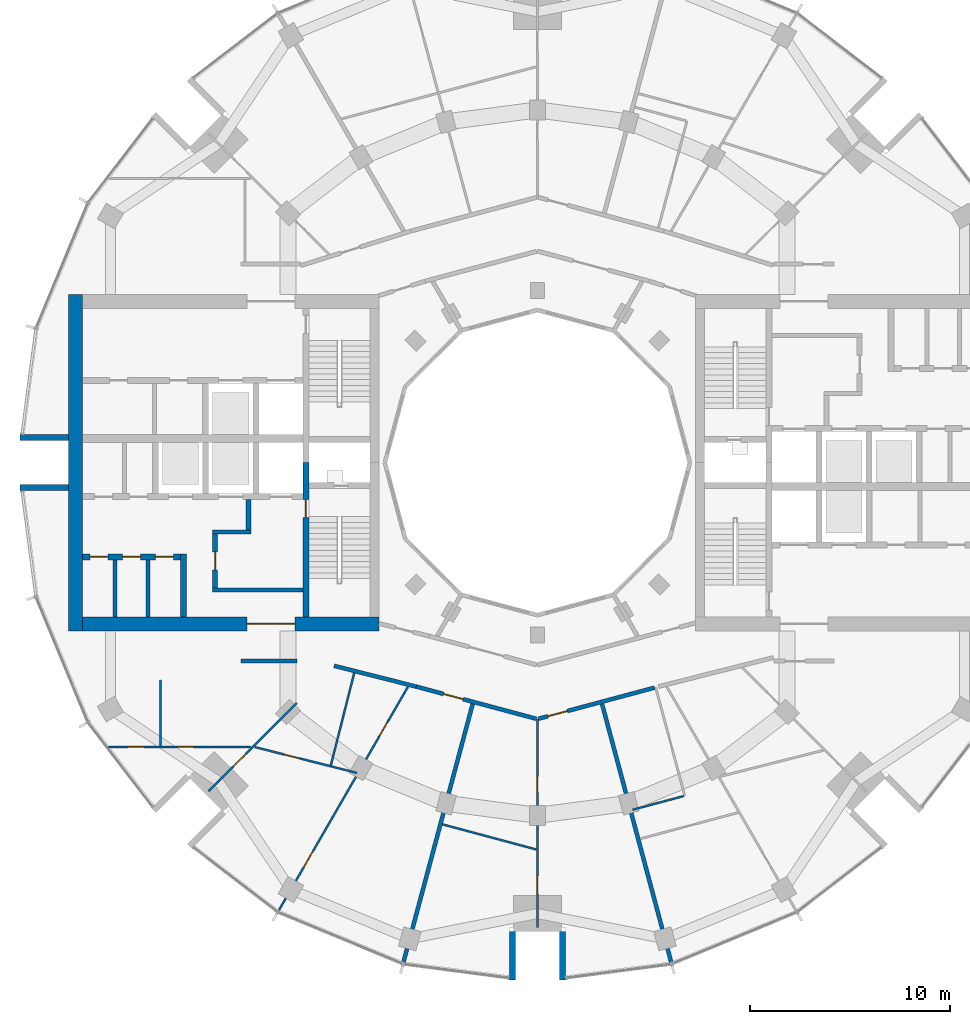
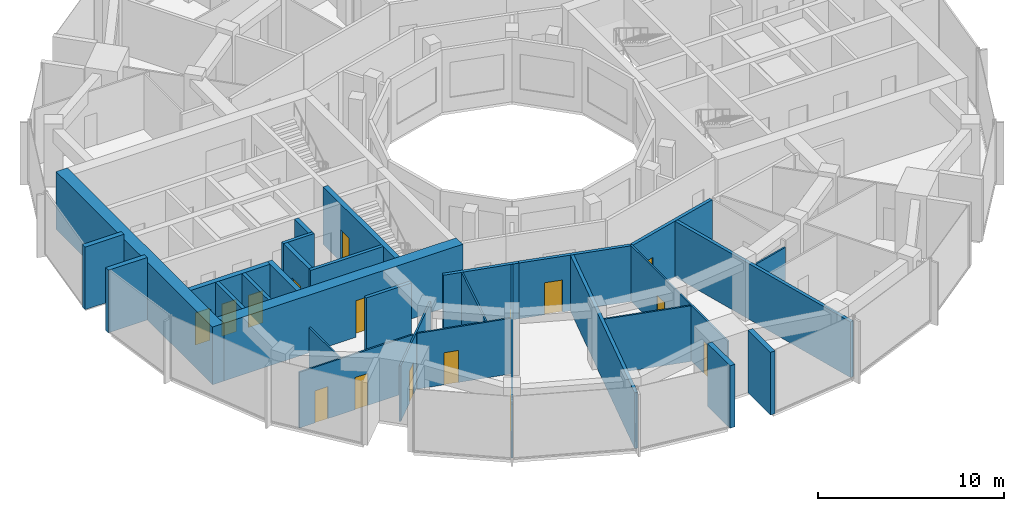
# One storey, part 8 of 15: 30 walls, 16 doors, 16 openings.
"""IFC4 building model written with IfcOpenShell, lengths in metres."""

from ifc_helpers import new_model, si_unit, direction, frame, frame_2d, origin, place, context, subcontext, project, spatial, rectangle, extrude, material, layer, layer_set, type_object, element, fill, save


model = new_model("IFC4")

# Units and contexts
model_context = context("Model", 3, precision=1e-05, world=origin(), true_north=direction((0.0, 1.0)))
body_context = subcontext(model_context, "Body", "Model", "MODEL_VIEW")
ifc_project = project(units=[si_unit("LENGTHUNIT", "METRE"), si_unit("AREAUNIT", "SQUARE_METRE"), si_unit("VOLUMEUNIT", "CUBIC_METRE"), si_unit("PLANEANGLEUNIT", "RADIAN"), si_unit("MASSUNIT", "GRAM", prefix="KILO")], contexts=[model_context])

# Site, building, storey
site_placement = place(None, origin())
site = spatial("IfcSite", under=ifc_project, at=site_placement, CompositionType="ELEMENT")
building_placement = place(site_placement, origin())
building = spatial("IfcBuilding", under=site, at=building_placement, Name="Torre Brocal", CompositionType="ELEMENT")
storey_placement = place(building_placement, frame((0.0, 0.0, 170.0)))
storey = spatial("IfcBuildingStorey", under=building, at=storey_placement, Name="L39", CompositionType="ELEMENT", Elevation=170.0)

# Walls
ifc_material_1 = material(Name="Masonry block", Category="masonry")
ifc_layer_1 = layer(ifc_material_1, 0.199951171875)
ifc_layer_set_1 = layer_set([ifc_layer_1], Name="Masonry block")
wall_type_1 = type_object("IfcWallType", Name="CORE PARTITION 200", PredefinedType="PARTITIONING", material=ifc_layer_set_1)
for number, where, z_axis, x_axis, name in (
    (1, (60.566650390625, 70.14990234375, 0.0), (0.0, 0.0, 1.0), (0.0, -1.0, 0.0), "Wall CP200"),
    (2, (58.933349609375, 70.14990234375, 0.0), (0.0, 0.0, 1.0), (0.0, -1.0, 0.0), "Wall CP200"),
):
    element("IfcWall", number, at=place(storey_placement, frame(where, z_axis=z_axis, x_axis=x_axis)), inside=storey, type_object=wall_type_1, Name=name, PredefinedType="PARTITIONING", context=body_context, shape_type="SweptSolid", body=[
        extrude(rectangle(XDim=2.849853515625, YDim=0.199951171875, at=frame_2d((1.4248046875, 0.0))), origin(), (0.0, 0.0, 1.0), 3.780029296875),
    ])
ifc_material_2 = material(Name="Concrete C70", Category="concrete")
ifc_layer_2 = layer(ifc_material_2, 0.199951171875)
ifc_layer_set_2 = layer_set([ifc_layer_2], Name="Concrete C70")
wall_type_2 = type_object("IfcWallType", Name="CORE WALL 200 C70", PredefinedType="SHEAR", material=ifc_layer_set_2)
wall_1_placement = place(storey_placement, frame((68.300048828125, 68.64990234375, 0.0), z_axis=(0.0, 0.0, 1.0), x_axis=(-1.0, 0.0, 0.0)))
element("IfcWall", 3, at=wall_1_placement, inside=storey, type_object=wall_type_2, Name="Wall CW200-70", PredefinedType="SHEAR", context=body_context, shape_type="SweptSolid", body=[
    extrude(rectangle(XDim=4.5, YDim=0.199951171875, at=frame_2d((2.25, 0.0))), origin(), (0.0, 0.0, 1.0), 3.780029296875),
])
wall_2_placement = place(storey_placement, frame((65.699951171875, 71.550048828125, 0.0), z_axis=(0.0, 0.0, 1.0), x_axis=(-1.0, 0.0, 0.0)))
element("IfcWall", 4, at=wall_2_placement, inside=storey, type_object=wall_type_2, Name="Wall CW200-70", PredefinedType="SHEAR", context=body_context, shape_type="SweptSolid", body=[
    extrude(rectangle(XDim=1.89990234375, YDim=0.199951171875, at=frame_2d((0.949951171875, 0.0))), origin(), (0.0, 0.0, 1.0), 3.780029296875),
])

# Wall, opening, door
ifc_material_3 = material(Name="Concrete C70", Category="concrete")
ifc_layer_3 = layer(ifc_material_3, 0.25)
ifc_layer_set_3 = layer_set([ifc_layer_3], Name="Concrete C70")
wall_type_3 = type_object("IfcWallType", Name="CORE WALL 250 C70", PredefinedType="SHEAR", material=ifc_layer_set_3)
wall_3_placement = place(storey_placement, frame((63.925048828125, 71.449951171875, 0.0), z_axis=(0.0, 0.0, 1.0), x_axis=(0.0, -1.0, 0.0)))
wall_3 = element("IfcWall", 5, at=wall_3_placement, inside=storey, type_object=wall_type_3, Name="Wall CW250-70", PredefinedType="SHEAR", context=body_context, shape_type="SweptSolid", body=[
    extrude(rectangle(XDim=2.699951171875, YDim=0.25, at=frame_2d((1.35009765625, 0.0))), origin(), (0.0, 0.0, 1.0), 3.780029296875),
])
opening_1_placement = place(wall_3_placement, frame((0.89990234375, 0.0, 0.0)))
opening_1 = element("IfcOpeningElement", 6, at=opening_1_placement, cuts=wall_3, Name="Opening W-D08", PredefinedType="OPENING", context=body_context, shape_type="SweptSolid", body=[
    extrude(rectangle(XDim=0.89990234375, YDim=2.10009765625, at=frame_2d((0.449951171875, 1.050048828125))), frame((0.0, 0.135009765625, 0.0), z_axis=(0.0, -1.0, 0.0), x_axis=(1.0, 0.0, 0.0)), (0.0, 0.0, 1.0), 0.27001953125),
])
ifc_material_4 = material(Name="Steel A653", Category="steel")
door_type_1 = type_object("IfcDoorType", Name="LOBBY DOOR FD120 900X2100", OperationType="SINGLE_SWING_RIGHT", PredefinedType="DOOR", material=ifc_material_4)
door_1_placement = place(opening_1_placement, origin())
door_1 = element("IfcDoor", 7, at=door_1_placement, inside=storey, type_object=door_type_1, Name="Door W-D08", OperationType="SINGLE_SWING_LEFT", OverallHeight=2.10009765625, OverallWidth=0.89990234375, PredefinedType="DOOR", context=body_context, shape_type="SweptSolid", body=[
    extrude(rectangle(XDim=0.89990234375, YDim=2.10009765625, at=frame_2d((0.449951171875, 1.050048828125))), frame((0.0, 0.02490234375, 0.0), z_axis=(0.0, -1.0, 0.0), x_axis=(1.0, 0.0, 0.0)), (0.0, 0.0, 1.0), 0.050048828125),
])
fill(opening_1, door_1)

# Wall
wall_4_placement = place(storey_placement, frame((65.574951171875, 73.14990234375, 0.0), z_axis=(0.0, 0.0, 1.0), x_axis=(0.0, -1.0, 0.0)))
element("IfcWall", 8, at=wall_4_placement, inside=storey, type_object=wall_type_3, Name="Wall CW250-70", PredefinedType="SHEAR", context=body_context, shape_type="SweptSolid", body=[
    extrude(rectangle(XDim=1.5, YDim=0.25, at=frame_2d((0.75, 0.0))), origin(), (0.0, 0.0, 1.0), 3.780029296875),
])

# Wall, opening, door
ifc_material_5 = material(Name="Concrete C70", Category="concrete")
ifc_layer_4 = layer(ifc_material_5, 0.300048828125)
ifc_layer_set_4 = layer_set([ifc_layer_4], Name="Concrete C70")
wall_type_4 = type_object("IfcWallType", Name="CORE WALL 300 C70", PredefinedType="SHEAR", material=ifc_layer_set_4)
wall_5_placement = place(storey_placement, frame((68.449951171875, 75.0, 0.0), z_axis=(0.0, 0.0, 1.0), x_axis=(0.0, -1.0, 0.0)))
wall_5 = element("IfcWall", 9, at=wall_5_placement, inside=storey, type_object=wall_type_4, Name="Wall CW300-70", PredefinedType="SHEAR", context=body_context, shape_type="SweptSolid", body=[
    extrude(rectangle(XDim=7.699951171875, YDim=0.300048828125, at=frame_2d((3.85009765625, 0.0))), origin(), (0.0, 0.0, 1.0), 3.780029296875),
])
opening_2_placement = place(wall_5_placement, frame((1.85009765625, 0.0, 0.0)))
opening_2 = element("IfcOpeningElement", 10, at=opening_2_placement, cuts=wall_5, Name="Opening W-D02", PredefinedType="OPENING", context=body_context, shape_type="SweptSolid", body=[
    extrude(rectangle(XDim=0.89990234375, YDim=2.10009765625, at=frame_2d((0.449951171875, 1.050048828125))), frame((0.0, 0.159912109375, 0.0), z_axis=(0.0, -1.0, 0.0), x_axis=(1.0, 0.0, 0.0)), (0.0, 0.0, 1.0), 0.320068359375),
])
ifc_material_6 = material(Name="Steel A653", Category="steel")
door_type_2 = type_object("IfcDoorType", Name="STAIR DOOR FD120 900X2100", OperationType="SINGLE_SWING_RIGHT", PredefinedType="DOOR", material=ifc_material_6)
door_2_placement = place(opening_2_placement, origin())
door_2 = element("IfcDoor", 11, at=door_2_placement, inside=storey, type_object=door_type_2, Name="Door W-D02", OperationType="SINGLE_SWING_LEFT", OverallHeight=2.10009765625, OverallWidth=0.89990234375, PredefinedType="DOOR", context=body_context, shape_type="SweptSolid", body=[
    extrude(rectangle(XDim=0.89990234375, YDim=2.10009765625, at=frame_2d((0.449951171875, 1.050048828125))), frame((0.0, 0.02490234375, 0.0), z_axis=(0.0, -1.0, 0.0), x_axis=(1.0, 0.0, 0.0)), (0.0, 0.0, 1.0), 0.050048828125),
])
fill(opening_2, door_2)

# Wall
wall_6_placement = place(storey_placement, frame((62.35009765625, 70.449951171875, 0.0), z_axis=(0.0, 0.0, 1.0), x_axis=(0.0, -1.0, 0.0)))
element("IfcWall", 12, at=wall_6_placement, inside=storey, type_object=wall_type_4, Name="Wall CW300-70", PredefinedType="SHEAR", context=body_context, shape_type="SweptSolid", body=[
    extrude(rectangle(XDim=3.14990234375, YDim=0.300048828125, at=frame_2d((1.574951171875, 0.0))), origin(), (0.0, 0.0, 1.0), 3.780029296875),
])

# Wall, openings, doors
wall_7_placement = place(storey_placement, frame((62.199951171875, 70.300048828125, 0.0), z_axis=(0.0, 0.0, 1.0), x_axis=(-1.0, 0.0, 0.0)))
wall_7 = element("IfcWall", 13, at=wall_7_placement, inside=storey, type_object=wall_type_4, Name="Wall CW300-70", PredefinedType="SHEAR", context=body_context, shape_type="SweptSolid", body=[
    extrude(rectangle(XDim=4.89990234375, YDim=0.300048828125, at=frame_2d((2.449951171875, 0.0))), origin(), (0.0, 0.0, 1.0), 3.780029296875),
])
opening_3_placement = place(wall_7_placement, frame((0.36669921875, 0.0, 0.0)))
opening_3 = element("IfcOpeningElement", 14, at=opening_3_placement, cuts=wall_7, Name="Opening W-D09", PredefinedType="OPENING", context=body_context, shape_type="SweptSolid", body=[
    extrude(rectangle(XDim=0.89990234375, YDim=2.10009765625, at=frame_2d((0.449951171875, 1.050048828125))), frame((0.0, 0.159912109375, 0.0), z_axis=(0.0, -1.0, 0.0), x_axis=(1.0, 0.0, 0.0)), (0.0, 0.0, 1.0), 0.320068359375),
])
opening_4_placement = place(wall_7_placement, frame((2.0, 0.0, 0.0)))
opening_4 = element("IfcOpeningElement", 15, at=opening_4_placement, cuts=wall_7, Name="Opening W-D10", PredefinedType="OPENING", context=body_context, shape_type="SweptSolid", body=[
    extrude(rectangle(XDim=0.89990234375, YDim=2.10009765625, at=frame_2d((0.449951171875, 1.050048828125))), frame((0.0, 0.159912109375, 0.0), z_axis=(0.0, -1.0, 0.0), x_axis=(1.0, 0.0, 0.0)), (0.0, 0.0, 1.0), 0.320068359375),
])
opening_5_placement = place(wall_7_placement, frame((3.63330078125, 0.0, 0.0)))
opening_5 = element("IfcOpeningElement", 16, at=opening_5_placement, cuts=wall_7, Name="Opening W-D11", PredefinedType="OPENING", context=body_context, shape_type="SweptSolid", body=[
    extrude(rectangle(XDim=0.89990234375, YDim=2.10009765625, at=frame_2d((0.449951171875, 1.050048828125))), frame((0.0, 0.159912109375, 0.0), z_axis=(0.0, -1.0, 0.0), x_axis=(1.0, 0.0, 0.0)), (0.0, 0.0, 1.0), 0.320068359375),
])
ifc_material_7 = material(Name="Steel A653", Category="steel")
door_type_3 = type_object("IfcDoorType", Name="ROOM DOOR FD30S 900X2100", OperationType="SINGLE_SWING_LEFT", PredefinedType="DOOR", material=ifc_material_7)
door_3_placement = place(opening_3_placement, origin())
door_3 = element("IfcDoor", 17, at=door_3_placement, inside=storey, type_object=door_type_3, Name="Door W-D09", OperationType="SINGLE_SWING_RIGHT", OverallHeight=2.10009765625, OverallWidth=0.89990234375, PredefinedType="DOOR", context=body_context, shape_type="SweptSolid", body=[
    extrude(rectangle(XDim=0.89990234375, YDim=2.10009765625, at=frame_2d((0.449951171875, 1.050048828125))), frame((0.0, 0.02490234375, 0.0), z_axis=(0.0, -1.0, 0.0), x_axis=(1.0, 0.0, 0.0)), (0.0, 0.0, 1.0), 0.050048828125),
])
fill(opening_3, door_3)
door_4_placement = place(opening_4_placement, origin())
door_4 = element("IfcDoor", 18, at=door_4_placement, inside=storey, type_object=door_type_3, Name="Door W-D10", OperationType="SINGLE_SWING_LEFT", OverallHeight=2.10009765625, OverallWidth=0.89990234375, PredefinedType="DOOR", context=body_context, shape_type="SweptSolid", body=[
    extrude(rectangle(XDim=0.89990234375, YDim=2.10009765625, at=frame_2d((0.449951171875, 1.050048828125))), frame((0.0, 0.02490234375, 0.0), z_axis=(0.0, -1.0, 0.0), x_axis=(1.0, 0.0, 0.0)), (0.0, 0.0, 1.0), 0.050048828125),
])
fill(opening_4, door_4)
door_5_placement = place(opening_5_placement, origin())
door_5 = element("IfcDoor", 19, at=door_5_placement, inside=storey, type_object=door_type_3, Name="Door W-D11", OperationType="SINGLE_SWING_LEFT", OverallHeight=2.10009765625, OverallWidth=0.89990234375, PredefinedType="DOOR", context=body_context, shape_type="SweptSolid", body=[
    extrude(rectangle(XDim=0.89990234375, YDim=2.10009765625, at=frame_2d((0.449951171875, 1.050048828125))), frame((0.0, 0.02490234375, 0.0), z_axis=(0.0, -1.0, 0.0), x_axis=(1.0, 0.0, 0.0)), (0.0, 0.0, 1.0), 0.050048828125),
])
fill(opening_5, door_5)

# Wall, opening, door
ifc_material_8 = material(Name="Concrete C70", Category="concrete")
ifc_layer_5 = layer(ifc_material_8, 0.699951171875)
ifc_layer_set_5 = layer_set([ifc_layer_5], Name="Concrete C70")
wall_type_5 = type_object("IfcWallType", Name="CORE WALL 700 C70", PredefinedType="SHEAR", material=ifc_layer_set_5)
wall_8_placement = place(storey_placement, frame((72.10009765625, 66.949951171875, 0.0), z_axis=(0.0, 0.0, 1.0), x_axis=(-1.0, 0.0, 0.0)))
wall_8 = element("IfcWall", 20, at=wall_8_placement, inside=storey, type_object=wall_type_5, Name="Wall CW700-70", PredefinedType="SHEAR", context=body_context, shape_type="SweptSolid", body=[
    extrude(rectangle(XDim=14.800048828125, YDim=0.699951171875, at=frame_2d((7.39990234375, 0.0))), origin(), (0.0, 0.0, 1.0), 3.780029296875),
])
opening_6_placement = place(wall_8_placement, frame((4.199951171875, 0.0, 0.0)))
opening_6 = element("IfcOpeningElement", 21, at=opening_6_placement, cuts=wall_8, Name="Opening W-D12", PredefinedType="OPENING", context=body_context, shape_type="SweptSolid", body=[
    extrude(rectangle(XDim=2.39990234375, YDim=2.39990234375, at=frame_2d((1.199951171875, 1.199951171875))), frame((0.0, 0.35986328125, 0.0), z_axis=(0.0, -1.0, 0.0), x_axis=(1.0, 0.0, 0.0)), (0.0, 0.0, 1.0), 0.719970703125),
])
ifc_material_9 = material(Name="Steel A653", Category="steel")
door_type_4 = type_object("IfcDoorType", Name="DOUBLE FIRE DOOR FD90 2400X2400", OperationType="DOUBLE_DOOR_SINGLE_SWING", PredefinedType="DOOR", material=ifc_material_9)
door_6_placement = place(opening_6_placement, frame((2.39990234375, 0.0, 0.0), z_axis=(0.0, 0.0, 1.0), x_axis=(-1.0, 0.0, 0.0)))
door_6 = element("IfcDoor", 22, at=door_6_placement, inside=storey, type_object=door_type_4, Name="Door W-D12", OperationType="DOUBLE_DOOR_SINGLE_SWING", OverallHeight=2.39990234375, OverallWidth=2.39990234375, PredefinedType="DOOR", context=body_context, shape_type="SweptSolid", body=[
    extrude(rectangle(XDim=2.39990234375, YDim=2.39990234375, at=frame_2d((1.199951171875, 1.199951171875))), frame((0.0, 0.02490234375, 0.0), z_axis=(0.0, -1.0, 0.0), x_axis=(1.0, 0.0, 0.0)), (0.0, 0.0, 1.0), 0.050048828125),
])
fill(opening_6, door_6)

# Walls
wall_9_placement = place(storey_placement, frame((56.949951171875, 83.39990234375, 0.0), z_axis=(0.0, 0.0, 1.0), x_axis=(0.0, -1.0, 0.0)))
element("IfcWall", 23, at=wall_9_placement, inside=storey, type_object=wall_type_5, Name="Wall CW700-70", PredefinedType="SHEAR", context=body_context, shape_type="SweptSolid", body=[
    extrude(rectangle(XDim=16.7998046875, YDim=0.699951171875, at=frame_2d((8.39990234375, 0.0))), origin(), (0.0, 0.0, 1.0), 3.780029296875),
])
ifc_material_10 = material(Name="Concrete C70", Category="concrete")
ifc_layer_6 = layer(ifc_material_10, 0.300048828125)
ifc_layer_set_6 = layer_set([ifc_layer_6], Name="Concrete C70")
wall_type_6 = type_object("IfcWallType", Name="NOTCH RETURN WALL 300 C70", PredefinedType="NOTDEFINED", material=ifc_layer_set_6)
for number, where, z_axis, x_axis, name in (
    (24, (56.60009765625, 76.25, 0.0), (0.0, 0.0, 1.0), (-1.0, 0.0, 0.0), "NOTCH RETURN WALL"),
    (25, (56.60009765625, 73.75, 0.0), (0.0, 0.0, 1.0), (-1.0, 0.0, 0.0), "NOTCH RETURN WALL"),
    (26, (78.75, 51.60009765625, 0.0), (0.0, 0.0, 1.0), (0.0, -1.0, 0.0), "NOTCH RETURN WALL"),
    (27, (81.25, 51.60009765625, 0.0), (0.0, 0.0, 1.0), (0.0, -1.0, 0.0), "NOTCH RETURN WALL"),
):
    element("IfcWall", number, at=place(storey_placement, frame(where, z_axis=z_axis, x_axis=x_axis)), inside=storey, type_object=wall_type_6, Name=name, PredefinedType="NOTDEFINED", context=body_context, shape_type="SweptSolid", body=[
        extrude(rectangle(XDim=2.415771484375, YDim=0.300048828125, at=frame_2d((1.2080078125, 0.0))), origin(), (0.0, 0.0, 1.0), 4.10009765625),
    ])

# Wall, openings, doors
ifc_material_11 = material(Name="Gypsum board", Category="Gypsum")
ifc_layer_7 = layer(ifc_material_11, 0.10009765625)
ifc_layer_set_7 = layer_set([ifc_layer_7], Name="Gypsum board")
wall_type_7 = type_object("IfcWallType", Name="PARTITION 100", PredefinedType="PARTITIONING", material=ifc_layer_set_7)
wall_10_placement = place(storey_placement, frame((58.60009765625, 60.81201171875, 0.0), z_axis=(0.0, 0.0, 1.0), x_axis=(1.0, 0.0, 0.0)))
wall_10 = element("IfcWall", 28, at=wall_10_placement, inside=storey, type_object=wall_type_7, Name="BATHROOM WALL", PredefinedType="PARTITIONING", context=body_context, shape_type="SweptSolid", body=[
    extrude(rectangle(XDim=7.091796875, YDim=0.10009765625, at=frame_2d((3.5458984375, 0.0))), origin(), (0.0, 0.0, 1.0), 3.64990234375),
])
opening_7_placement = place(wall_10_placement, frame((3.446044921875, 0.0, 0.0)))
opening_7 = element("IfcOpeningElement", 29, at=opening_7_placement, cuts=wall_10, Name="Opening R02-D33", PredefinedType="OPENING", context=body_context, shape_type="SweptSolid", body=[
    extrude(rectangle(XDim=0.800048828125, YDim=2.10009765625, at=frame_2d((0.39990234375, 1.050048828125))), frame((0.0, 0.06005859375, 0.0), z_axis=(0.0, -1.0, 0.0), x_axis=(1.0, 0.0, 0.0)), (0.0, 0.0, 1.0), 0.1201171875),
])
opening_8_placement = place(wall_10_placement, frame((0.965087890625, 0.0, 0.0)))
opening_8 = element("IfcOpeningElement", 30, at=opening_8_placement, cuts=wall_10, Name="Opening R02-D34", PredefinedType="OPENING", context=body_context, shape_type="SweptSolid", body=[
    extrude(rectangle(XDim=0.800048828125, YDim=2.10009765625, at=frame_2d((0.39990234375, 1.050048828125))), frame((0.0, 0.06005859375, 0.0), z_axis=(0.0, -1.0, 0.0), x_axis=(1.0, 0.0, 0.0)), (0.0, 0.0, 1.0), 0.1201171875),
])
ifc_material_12 = material(Name="Timber", Category="wood")
door_type_5 = type_object("IfcDoorType", Name="BATHROOM DOOR 800X2100", OperationType="SINGLE_SWING_LEFT", PredefinedType="DOOR", material=ifc_material_12)
door_7_placement = place(opening_7_placement, origin())
door_7 = element("IfcDoor", 31, at=door_7_placement, inside=storey, type_object=door_type_5, Name="R02-D33", OperationType="SINGLE_SWING_LEFT", OverallHeight=2.10009765625, OverallWidth=0.800048828125, PredefinedType="DOOR", context=body_context, shape_type="SweptSolid", body=[
    extrude(rectangle(XDim=0.800048828125, YDim=2.10009765625, at=frame_2d((0.39990234375, 1.050048828125))), frame((0.0, 0.02490234375, 0.0), z_axis=(0.0, -1.0, 0.0), x_axis=(1.0, 0.0, 0.0)), (0.0, 0.0, 1.0), 0.050048828125),
])
fill(opening_7, door_7)
door_8_placement = place(opening_8_placement, frame((0.800048828125, 0.0, 0.0), z_axis=(0.0, 0.0, 1.0), x_axis=(-1.0, 0.0, 0.0)))
door_8 = element("IfcDoor", 32, at=door_8_placement, inside=storey, type_object=door_type_5, Name="R02-D34", OperationType="SINGLE_SWING_RIGHT", OverallHeight=2.10009765625, OverallWidth=0.800048828125, PredefinedType="DOOR", context=body_context, shape_type="SweptSolid", body=[
    extrude(rectangle(XDim=0.800048828125, YDim=2.10009765625, at=frame_2d((0.39990234375, 1.050048828125))), frame((0.0, 0.02490234375, 0.0), z_axis=(0.0, -1.0, 0.0), x_axis=(1.0, 0.0, 0.0)), (0.0, 0.0, 1.0), 0.050048828125),
])
fill(opening_8, door_8)

# Wall
wall_11_placement = place(storey_placement, frame((61.199951171875, 60.862060546875, 0.0), z_axis=(0.0, 0.0, 1.0), x_axis=(0.0, 1.0, 0.0)))
element("IfcWall", 33, at=wall_11_placement, inside=storey, type_object=wall_type_7, Name="BATHROOM WALL", PredefinedType="PARTITIONING", context=body_context, shape_type="SweptSolid", body=[
    extrude(rectangle(XDim=3.282958984375, YDim=0.10009765625, at=frame_2d((1.6416015625, 0.0))), origin(), (0.0, 0.0, 1.0), 3.64990234375),
])

# Wall, opening, door
wall_12_placement = place(storey_placement, frame((63.59130859375, 58.60009765625, 0.0), z_axis=(0.0, 0.0, 1.0), x_axis=(0.707263550227, 0.706949977382, 0.0)))
wall_12 = element("IfcWall", 34, at=wall_12_placement, inside=storey, type_object=wall_type_7, Name="BATHROOM WALL", PredefinedType="PARTITIONING", context=body_context, shape_type="SweptSolid", body=[
    extrude(rectangle(XDim=6.228515625, YDim=0.10009765625, at=frame_2d((3.1142578125, 0.0))), origin(), (0.0, 0.0, 1.0), 3.64990234375),
])
opening_9_placement = place(wall_12_placement, frame((1.752197265625, 0.0, 0.0)))
opening_9 = element("IfcOpeningElement", 35, at=opening_9_placement, cuts=wall_12, Name="Opening R02-D32", PredefinedType="OPENING", context=body_context, shape_type="SweptSolid", body=[
    extrude(rectangle(XDim=0.89990234375, YDim=2.10009765625, at=frame_2d((0.449951171875, 1.050048828125))), frame((0.0, 0.06005859375, 0.0), z_axis=(0.0, -1.0, 0.0), x_axis=(1.0, 0.0, 0.0)), (0.0, 0.0, 1.0), 0.1201171875),
])
ifc_material_13 = material(Name="Timber", Category="wood")
door_type_6 = type_object("IfcDoorType", Name="ROOM DOOR 900X2100", OperationType="SINGLE_SWING_LEFT", PredefinedType="DOOR", material=ifc_material_13)
door_9_placement = place(opening_9_placement, origin())
door_9 = element("IfcDoor", 36, at=door_9_placement, inside=storey, type_object=door_type_6, Name="R02-D32", OperationType="SINGLE_SWING_LEFT", OverallHeight=2.10009765625, OverallWidth=0.89990234375, PredefinedType="DOOR", context=body_context, shape_type="SweptSolid", body=[
    extrude(rectangle(XDim=0.89990234375, YDim=2.10009765625, at=frame_2d((0.449951171875, 1.050048828125))), frame((0.0, 0.02490234375, 0.0), z_axis=(0.0, -1.0, 0.0), x_axis=(1.0, 0.0, 0.0)), (0.0, 0.0, 1.0), 0.050048828125),
])
fill(opening_9, door_9)

wall_13_placement = place(storey_placement, frame((65.90380859375, 60.806884765625, 0.0), z_axis=(0.0, 0.0, 1.0), x_axis=(0.969391307129, -0.245520861971, 0.0)))
wall_13 = element("IfcWall", 37, at=wall_13_placement, inside=storey, type_object=wall_type_7, Name="BATHROOM WALL", PredefinedType="PARTITIONING", context=body_context, shape_type="SweptSolid", body=[
    extrude(rectangle(XDim=5.251220703125, YDim=0.10009765625, at=frame_2d((2.62548828125, 0.0))), origin(), (0.0, 0.0, 1.0), 3.64990234375),
])
opening_10_placement = place(wall_13_placement, frame((1.51904296875, 0.0, 0.0)))
opening_10 = element("IfcOpeningElement", 38, at=opening_10_placement, cuts=wall_13, Name="Opening R02-D30", PredefinedType="OPENING", context=body_context, shape_type="SweptSolid", body=[
    extrude(rectangle(XDim=0.800048828125, YDim=2.10009765625, at=frame_2d((0.39990234375, 1.050048828125))), frame((0.0, 0.06005859375, 0.0), z_axis=(0.0, -1.0, 0.0), x_axis=(1.0, 0.0, 0.0)), (0.0, 0.0, 1.0), 0.1201171875),
])
door_10_placement = place(opening_10_placement, origin())
door_10 = element("IfcDoor", 39, at=door_10_placement, inside=storey, type_object=door_type_5, Name="R02-D30", OperationType="SINGLE_SWING_LEFT", OverallHeight=2.10009765625, OverallWidth=0.800048828125, PredefinedType="DOOR", context=body_context, shape_type="SweptSolid", body=[
    extrude(rectangle(XDim=0.800048828125, YDim=2.10009765625, at=frame_2d((0.39990234375, 1.050048828125))), frame((0.0, 0.02490234375, 0.0), z_axis=(0.0, -1.0, 0.0), x_axis=(1.0, 0.0, 0.0)), (0.0, 0.0, 1.0), 0.050048828125),
])
fill(opening_10, door_10)

# Wall, openings, doors
wall_14_placement = place(storey_placement, frame((67.099609375, 52.659423828125, 0.0), z_axis=(0.0, 0.0, 1.0), x_axis=(0.500072574725, 0.865983498692, 0.0)))
wall_14 = element("IfcWall", 40, at=wall_14_placement, inside=storey, type_object=wall_type_7, Name="BATHROOM WALL", PredefinedType="PARTITIONING", context=body_context, shape_type="SweptSolid", body=[
    extrude(rectangle(XDim=12.87646484375, YDim=0.10009765625, at=frame_2d((6.438232421875, 0.0))), origin(), (0.0, 0.0, 1.0), 3.64990234375),
])
opening_11_placement = place(wall_14_placement, frame((2.504150390625, 0.0, 0.0)))
opening_11 = element("IfcOpeningElement", 41, at=opening_11_placement, cuts=wall_14, Name="Opening R02-D29", PredefinedType="OPENING", context=body_context, shape_type="SweptSolid", body=[
    extrude(rectangle(XDim=0.89990234375, YDim=2.10009765625, at=frame_2d((0.449951171875, 1.050048828125))), frame((0.0, 0.06005859375, 0.0), z_axis=(0.0, -1.0, 0.0), x_axis=(1.0, 0.0, 0.0)), (0.0, 0.0, 1.0), 0.1201171875),
])
opening_12_placement = place(wall_14_placement, frame((10.0400390625, 0.0, 0.0)))
opening_12 = element("IfcOpeningElement", 42, at=opening_12_placement, cuts=wall_14, Name="Opening R02-D31", PredefinedType="OPENING", context=body_context, shape_type="SweptSolid", body=[
    extrude(rectangle(XDim=0.800048828125, YDim=2.10009765625, at=frame_2d((0.39990234375, 1.050048828125))), frame((0.0, 0.06005859375, 0.0), z_axis=(0.0, -1.0, 0.0), x_axis=(1.0, 0.0, 0.0)), (0.0, 0.0, 1.0), 0.1201171875),
])
door_11_placement = place(opening_12_placement, origin())
door_11 = element("IfcDoor", 43, at=door_11_placement, inside=storey, type_object=door_type_5, Name="R02-D31", OperationType="SINGLE_SWING_RIGHT", OverallHeight=2.10009765625, OverallWidth=0.800048828125, PredefinedType="DOOR", context=body_context, shape_type="SweptSolid", body=[
    extrude(rectangle(XDim=0.800048828125, YDim=2.10009765625, at=frame_2d((0.39990234375, 1.050048828125))), frame((0.0, 0.02490234375, 0.0), z_axis=(0.0, -1.0, 0.0), x_axis=(1.0, 0.0, 0.0)), (0.0, 0.0, 1.0), 0.050048828125),
])
fill(opening_12, door_11)
door_12_placement = place(opening_11_placement, origin())
door_12 = element("IfcDoor", 44, at=door_12_placement, inside=storey, type_object=door_type_6, Name="R02-D29", OperationType="SINGLE_SWING_LEFT", OverallHeight=2.10009765625, OverallWidth=0.89990234375, PredefinedType="DOOR", context=body_context, shape_type="SweptSolid", body=[
    extrude(rectangle(XDim=0.89990234375, YDim=2.10009765625, at=frame_2d((0.449951171875, 1.050048828125))), frame((0.0, 0.02490234375, 0.0), z_axis=(0.0, -1.0, 0.0), x_axis=(1.0, 0.0, 0.0)), (0.0, 0.0, 1.0), 0.050048828125),
])
fill(opening_11, door_12)

# Walls
wall_15_placement = place(storey_placement, frame((69.6953125, 59.8994140625, 0.0), z_axis=(0.0, 0.0, 1.0), x_axis=(0.245292232594, 0.96944918414, 0.0)))
element("IfcWall", 45, at=wall_15_placement, inside=storey, type_object=wall_type_7, Name="BATHROOM WALL", PredefinedType="PARTITIONING", context=body_context, shape_type="SweptSolid", body=[
    extrude(rectangle(XDim=4.74951171875, YDim=0.10009765625, at=frame_2d((2.374755859375, 0.0))), origin(), (0.0, 0.0, 1.0), 3.64990234375),
])
wall_16_placement = place(storey_placement, frame((75.26708984375, 56.949951171875, 0.0), z_axis=(0.0, 0.0, 1.0), x_axis=(0.965934541962, -0.258786515577, 0.0)))
element("IfcWall", 46, at=wall_16_placement, inside=storey, type_object=wall_type_7, Name="BATHROOM WALL", PredefinedType="PARTITIONING", context=body_context, shape_type="SweptSolid", body=[
    extrude(rectangle(XDim=4.839599609375, YDim=0.10009765625, at=frame_2d((2.419921875, 0.0))), origin(), (0.0, 0.0, 1.0), 3.64990234375),
])

# Wall, openings, doors
wall_17_placement = place(storey_placement, frame((80.0, 51.800048828125, 0.0), z_axis=(0.0, 0.0, 1.0), x_axis=(0.0, 1.0, 0.0)))
wall_17 = element("IfcWall", 47, at=wall_17_placement, inside=storey, type_object=wall_type_7, Name="BATHROOM WALL", PredefinedType="PARTITIONING", context=body_context, shape_type="SweptSolid", body=[
    extrude(rectangle(XDim=10.404052734375, YDim=0.10009765625, at=frame_2d((5.2021484375, 0.0))), origin(), (0.0, 0.0, 1.0), 3.64990234375),
])
opening_13_placement = place(wall_17_placement, frame((1.666015625, 0.0, 0.0)))
opening_13 = element("IfcOpeningElement", 48, at=opening_13_placement, cuts=wall_17, Name="Opening R02-D26", PredefinedType="OPENING", context=body_context, shape_type="SweptSolid", body=[
    extrude(rectangle(XDim=0.89990234375, YDim=2.10009765625, at=frame_2d((0.449951171875, 1.050048828125))), frame((0.0, 0.06005859375, 0.0), z_axis=(0.0, -1.0, 0.0), x_axis=(1.0, 0.0, 0.0)), (0.0, 0.0, 1.0), 0.1201171875),
])
opening_14_placement = place(wall_17_placement, frame((6.742919921875, 0.0, 0.0)))
opening_14 = element("IfcOpeningElement", 49, at=opening_14_placement, cuts=wall_17, Name="Opening R02-D27", PredefinedType="OPENING", context=body_context, shape_type="SweptSolid", body=[
    extrude(rectangle(XDim=0.800048828125, YDim=2.10009765625, at=frame_2d((0.39990234375, 1.050048828125))), frame((0.0, 0.06005859375, 0.0), z_axis=(0.0, -1.0, 0.0), x_axis=(1.0, 0.0, 0.0)), (0.0, 0.0, 1.0), 0.1201171875),
])
door_13_placement = place(opening_14_placement, origin())
door_13 = element("IfcDoor", 50, at=door_13_placement, inside=storey, type_object=door_type_5, Name="R02-D27", OperationType="SINGLE_SWING_LEFT", OverallHeight=2.10009765625, OverallWidth=0.800048828125, PredefinedType="DOOR", context=body_context, shape_type="SweptSolid", body=[
    extrude(rectangle(XDim=0.800048828125, YDim=2.10009765625, at=frame_2d((0.39990234375, 1.050048828125))), frame((0.0, 0.02490234375, 0.0), z_axis=(0.0, -1.0, 0.0), x_axis=(1.0, 0.0, 0.0)), (0.0, 0.0, 1.0), 0.050048828125),
])
fill(opening_14, door_13)
door_14_placement = place(opening_13_placement, origin())
door_14 = element("IfcDoor", 51, at=door_14_placement, inside=storey, type_object=door_type_6, Name="R02-D26", OperationType="SINGLE_SWING_RIGHT", OverallHeight=2.10009765625, OverallWidth=0.89990234375, PredefinedType="DOOR", context=body_context, shape_type="SweptSolid", body=[
    extrude(rectangle(XDim=0.89990234375, YDim=2.10009765625, at=frame_2d((0.449951171875, 1.050048828125))), frame((0.0, 0.02490234375, 0.0), z_axis=(0.0, -1.0, 0.0), x_axis=(1.0, 0.0, 0.0)), (0.0, 0.0, 1.0), 0.050048828125),
])
fill(opening_13, door_14)

# Walls
ifc_material_14 = material(Name="Gypsum board", Category="Gypsum")
ifc_layer_8 = layer(ifc_material_14, 0.10009765625)
ifc_layer_set_8 = layer_set([ifc_layer_8], Name="Gypsum board")
wall_type_8 = type_object("IfcWallType", Name="PARTITION 100 UNDER BEAM 820", PredefinedType="PARTITIONING", material=ifc_layer_set_8)
wall_18_placement = place(storey_placement, frame((84.74560546875, 57.677978515625, 0.0), z_axis=(0.0, 0.0, 1.0), x_axis=(0.965894568086, 0.258935674139, 0.0)))
element("IfcWall", 52, at=wall_18_placement, inside=storey, type_object=wall_type_8, Name="BATHROOM WALL", PredefinedType="PARTITIONING", context=body_context, shape_type="SweptSolid", body=[
    extrude(rectangle(XDim=2.6494140625, YDim=0.10009765625, at=frame_2d((1.32470703125, 0.0))), origin(), (0.0, 0.0, 1.0), 3.280029296875),
])
ifc_material_15 = material(Name="Gypsum board", Category="Gypsum")
ifc_layer_9 = layer(ifc_material_15, 0.199951171875)
ifc_layer_set_9 = layer_set([ifc_layer_9], Name="Gypsum board")
wall_type_9 = type_object("IfcWallType", Name="PARTITION 200 EI60", PredefinedType="PARTITIONING", material=ifc_layer_set_9)
wall_19_placement = place(storey_placement, frame((65.199951171875, 65.10009765625, 0.0), z_axis=(0.0, 0.0, 1.0), x_axis=(1.0, 0.0, 0.0)))
element("IfcWall", 53, at=wall_19_placement, inside=storey, type_object=wall_type_9, Name="GUESTROOM CORRIDOR WALL", PredefinedType="PARTITIONING", context=body_context, shape_type="SweptSolid", body=[
    extrude(rectangle(XDim=2.800048828125, YDim=0.199951171875, at=frame_2d((1.39990234375, 0.0))), origin(), (0.0, 0.0, 1.0), 3.64990234375),
])
wall_20_placement = place(storey_placement, frame((69.860107421875, 64.860107421875, 0.0), z_axis=(0.0, 0.0, 1.0), x_axis=(0.96942980222, -0.245368821506, 0.0)))
element("IfcWall", 54, at=wall_20_placement, inside=storey, type_object=wall_type_9, Name="FLAT ENTRANCE WALL", PredefinedType="PARTITIONING", context=body_context, shape_type="SweptSolid", body=[
    extrude(rectangle(XDim=4.2158203125, YDim=0.199951171875, at=frame_2d((2.10791015625, 0.0))), origin(), (0.0, 0.0, 1.0), 3.64990234375),
])
wall_21_placement = place(storey_placement, frame((73.32080078125, 50.081298828125, 0.0), z_axis=(0.0, 0.0, 1.0), x_axis=(0.258926994059, 0.965896894988, 0.0)))
element("IfcWall", 55, at=wall_21_placement, inside=storey, type_object=wall_type_9, Name="BATHROOM WALL", PredefinedType="PARTITIONING", context=body_context, shape_type="SweptSolid", body=[
    extrude(rectangle(XDim=13.338134765625, YDim=0.199951171875, at=frame_2d((6.6689453125, 0.0))), origin(), (0.0, 0.0, 1.0), 3.64990234375),
])

# Wall, opening, door
wall_22_placement = place(storey_placement, frame((73.947021484375, 63.825927734375, 0.0), z_axis=(0.0, 0.0, 1.0), x_axis=(0.965908253407, -0.258884619088, 0.0)))
wall_22 = element("IfcWall", 56, at=wall_22_placement, inside=storey, type_object=wall_type_9, Name="FLAT ENTRANCE WALL", PredefinedType="PARTITIONING", context=body_context, shape_type="SweptSolid", body=[
    extrude(rectangle(XDim=6.216552734375, YDim=0.199951171875, at=frame_2d((3.1083984375, 0.0))), origin(), (0.0, 0.0, 1.0), 3.64990234375),
])
opening_15_placement = place(wall_22_placement, frame((1.42431640625, 0.0, 0.0)))
opening_15 = element("IfcOpeningElement", 57, at=opening_15_placement, cuts=wall_22, Name="Opening R02-D28", PredefinedType="OPENING", context=body_context, shape_type="SweptSolid", body=[
    extrude(rectangle(XDim=1.0, YDim=2.10009765625, at=frame_2d((0.5, 1.050048828125))), frame((0.0, 0.10986328125, 0.0), z_axis=(0.0, -1.0, 0.0), x_axis=(1.0, 0.0, 0.0)), (0.0, 0.0, 1.0), 0.219970703125),
])
ifc_material_16 = material(Name="Timber", Category="wood")
door_type_7 = type_object("IfcDoorType", Name="FLAT ENTRY DOOR FD30S 1000X2100", OperationType="SINGLE_SWING_RIGHT", PredefinedType="DOOR", material=ifc_material_16)
door_15_placement = place(opening_15_placement, frame((1.0, 0.0, 0.0), z_axis=(0.0, 0.0, 1.0), x_axis=(-1.0, 0.0, 0.0)))
door_15 = element("IfcDoor", 58, at=door_15_placement, inside=storey, type_object=door_type_7, Name="R02-D28", OperationType="SINGLE_SWING_LEFT", OverallHeight=2.10009765625, OverallWidth=1.0, PredefinedType="DOOR", context=body_context, shape_type="SweptSolid", body=[
    extrude(rectangle(XDim=1.0, YDim=2.10009765625, at=frame_2d((0.5, 1.050048828125))), frame((0.0, 0.02490234375, 0.0), z_axis=(0.0, -1.0, 0.0), x_axis=(1.0, 0.0, 0.0)), (0.0, 0.0, 1.0), 0.050048828125),
])
fill(opening_15, door_15)

wall_23_placement = place(storey_placement, frame((80.04833984375, 62.217041015625, 0.0), z_axis=(0.0, 0.0, 1.0), x_axis=(0.965941520544, 0.258760466242, 0.0)))
wall_23 = element("IfcWall", 59, at=wall_23_placement, inside=storey, type_object=wall_type_9, Name="FLAT ENTRANCE WALL", PredefinedType="PARTITIONING", context=body_context, shape_type="SweptSolid", body=[
    extrude(rectangle(XDim=6.00634765625, YDim=0.199951171875, at=frame_2d((3.003173828125, 0.0))), origin(), (0.0, 0.0, 1.0), 3.64990234375),
])
opening_16_placement = place(wall_23_placement, frame((0.5, 0.0, 0.0)))
opening_16 = element("IfcOpeningElement", 60, at=opening_16_placement, cuts=wall_23, Name="Opening R02-D25", PredefinedType="OPENING", context=body_context, shape_type="SweptSolid", body=[
    extrude(rectangle(XDim=1.0, YDim=2.10009765625, at=frame_2d((0.5, 1.050048828125))), frame((0.0, 0.10986328125, 0.0), z_axis=(0.0, -1.0, 0.0), x_axis=(1.0, 0.0, 0.0)), (0.0, 0.0, 1.0), 0.219970703125),
])
door_16_placement = place(opening_16_placement, frame((1.0, 0.0, 0.0), z_axis=(0.0, 0.0, 1.0), x_axis=(-1.0, 0.0, 0.0)))
door_16 = element("IfcDoor", 61, at=door_16_placement, inside=storey, type_object=door_type_7, Name="R02-D25", OperationType="SINGLE_SWING_RIGHT", OverallHeight=2.10009765625, OverallWidth=1.0, PredefinedType="DOOR", context=body_context, shape_type="SweptSolid", body=[
    extrude(rectangle(XDim=1.0, YDim=2.10009765625, at=frame_2d((0.5, 1.050048828125))), frame((0.0, 0.02490234375, 0.0), z_axis=(0.0, -1.0, 0.0), x_axis=(1.0, 0.0, 0.0)), (0.0, 0.0, 1.0), 0.050048828125),
])
fill(opening_16, door_16)

# Wall
wall_24_placement = place(storey_placement, frame((83.22607421875, 62.964599609375, 0.0), z_axis=(0.0, 0.0, 1.0), x_axis=(0.258657094602, -0.965969206244, 0.0)))
element("IfcWall", 62, at=wall_24_placement, inside=storey, type_object=wall_type_9, Name="BATHROOM WALL", PredefinedType="PARTITIONING", context=body_context, shape_type="SweptSolid", body=[
    extrude(rectangle(XDim=13.337890625, YDim=0.199951171875, at=frame_2d((6.6689453125, 0.0))), origin(), (0.0, 0.0, 1.0), 3.64990234375),
])

save(model, "model.ifc")
